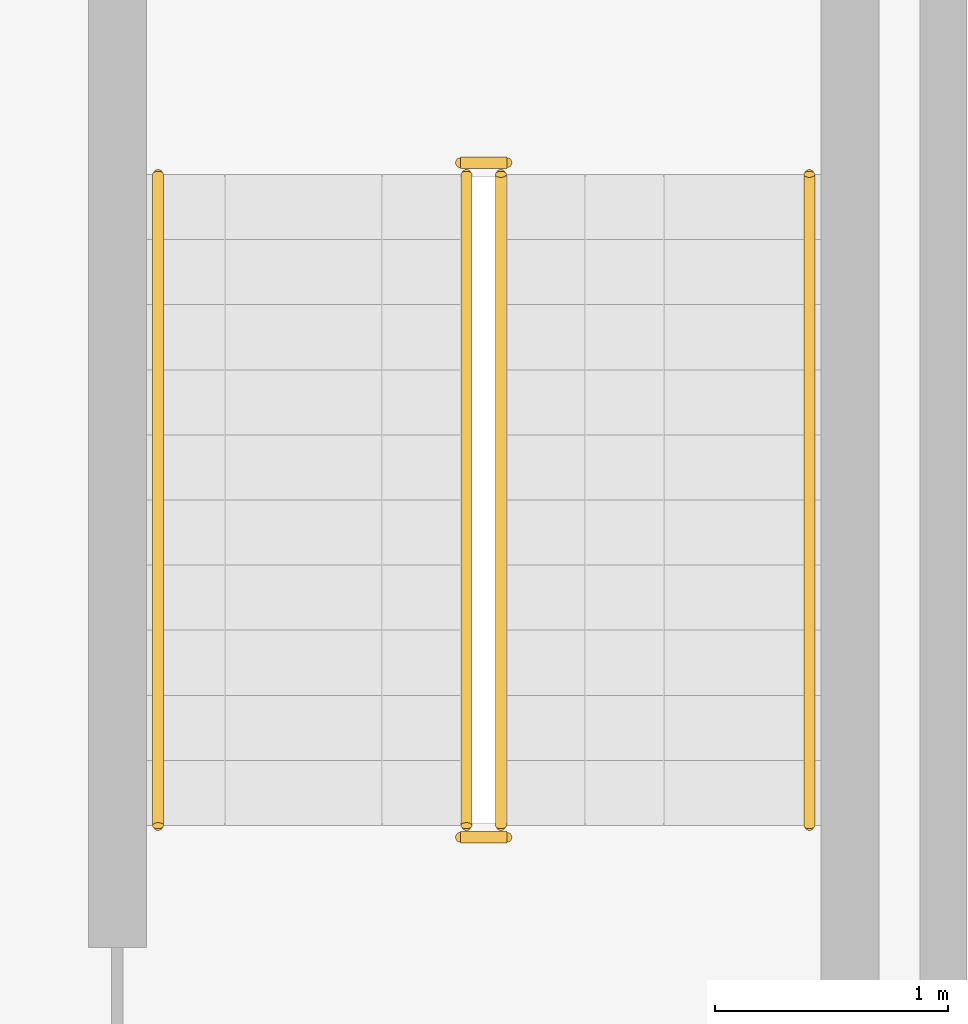
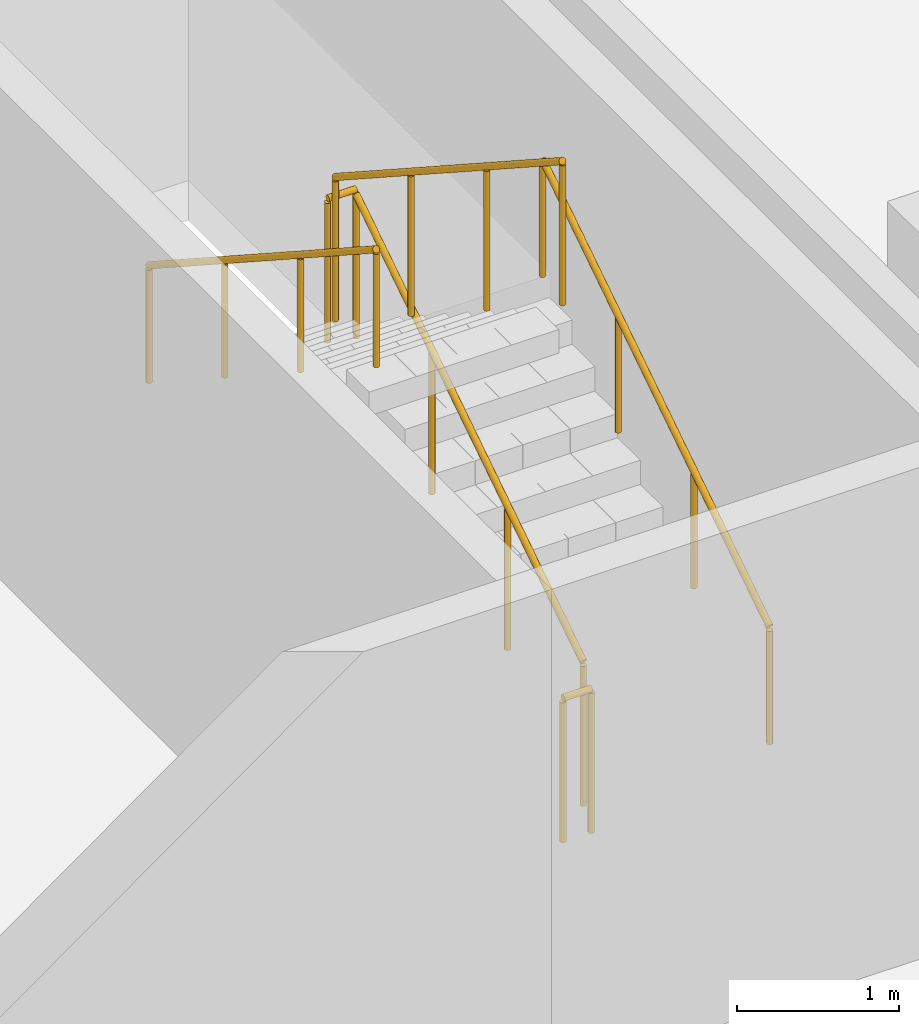
# One storey, part 18 of 18: 6 railings.
"""IFC4 building model written with IfcOpenShell, lengths in metres."""

from ifc_helpers import new_model, si_unit, direction, frame, origin, origin_2d, place, context, subcontext, project, spatial, circle, extrude, material, type_object, element, save


model = new_model("IFC4")

# Units and contexts
model_context = context("Model", 3, precision=1e-05, world=origin(), true_north=direction((0.0, 1.0)))
body_context = subcontext(model_context, "Body", "Model", "MODEL_VIEW")
ifc_project = project(units=[si_unit("LENGTHUNIT", "METRE"), si_unit("AREAUNIT", "SQUARE_METRE"), si_unit("VOLUMEUNIT", "CUBIC_METRE"), si_unit("PLANEANGLEUNIT", "RADIAN"), si_unit("MASSUNIT", "GRAM", prefix="KILO")], contexts=[model_context])

# Site, building, storey
site_placement = place(None, origin())
site = spatial("IfcSite", under=ifc_project, at=site_placement, CompositionType="ELEMENT")
building_placement = place(site_placement, origin())
building = spatial("IfcBuilding", under=site, at=building_placement, Name="Cantera Rosa Tower", CompositionType="ELEMENT")
storey_placement = place(building_placement, frame((0.0, 0.0, -13.0)))
storey = spatial("IfcBuildingStorey", under=building, at=storey_placement, Name="B3", CompositionType="ELEMENT", Elevation=-13.0)

# Railings
ifc_material_1 = material(Name="Steel S355J2 (EN 10025-2)", Category="steel")
railing_type_1 = type_object("IfcRailingType", Name="STAIR GUARD 1100", PredefinedType="GUARDRAIL", material=ifc_material_1)
railing_1_placement = place(storey_placement, frame((30.799072265625, 21.125, 0.181884765625)))
element("IfcRailing", 1, at=railing_1_placement, inside=storey, type_object=railing_type_1, Name="B3 ST-NE stair guard 1", PredefinedType="GUARDRAIL", context=body_context, shape_type="SweptSolid", body=[
    extrude(circle(Radius=0.02392578125, at=origin_2d()), frame((0.0, 0.0, 1.076171875), z_axis=(0.0, 0.838705829183, 0.544584733623), x_axis=(-1.0, 0.0, 0.0)), (0.0, 0.0, 1.0), 3.338623046875),
    extrude(circle(Radius=0.02099609375, at=origin_2d()), origin(), (0.0, 0.0, 1.0), 1.052001953125),
    extrude(circle(Radius=0.02099609375, at=origin_2d()), frame((0.0, 0.933349609375, 0.60595703125)), (0.0, 0.0, 1.0), 1.052001953125),
    extrude(circle(Radius=0.02099609375, at=origin_2d()), frame((0.0, 1.86669921875, 1.212158203125)), (0.0, 0.0, 1.0), 1.052001953125),
    extrude(circle(Radius=0.02099609375, at=origin_2d()), frame((0.0, 2.800048828125, 1.818115234375)), (0.0, 0.0, 1.0), 1.052001953125),
])
railing_2_placement = place(storey_placement, frame((30.824951171875, 23.97509765625, 2.0)))
element("IfcRailing", 2, at=railing_2_placement, inside=storey, type_object=railing_type_1, Name="B3 ST-NE stair guard 2", PredefinedType="GUARDRAIL", context=body_context, shape_type="SweptSolid", body=[
    extrude(circle(Radius=0.02392578125, at=origin_2d()), frame((0.0, 0.0, 1.076171875), z_axis=(-1.0, 0.0, 0.0), x_axis=(0.0, -1.0, 0.0)), (0.0, 0.0, 1.0), 0.199951171875),
    extrude(circle(Radius=0.02099609375, at=origin_2d()), origin(), (0.0, 0.0, 1.0), 1.052001953125),
    extrude(circle(Radius=0.02099609375, at=origin_2d()), frame((-0.199951171875, 0.0, 0.0)), (0.0, 0.0, 1.0), 1.052001953125),
])
railing_3_placement = place(storey_placement, frame((30.65087890625, 23.925048828125, 2.181884765625)))
element("IfcRailing", 3, at=railing_3_placement, inside=storey, type_object=railing_type_1, Name="B3 ST-NE stair guard 3", PredefinedType="GUARDRAIL", context=body_context, shape_type="SweptSolid", body=[
    extrude(circle(Radius=0.02392578125, at=origin_2d()), frame((0.0, 0.0, 1.076171875), z_axis=(0.0, -0.838705829183, 0.544584733623), x_axis=(1.0, 0.0, 0.0)), (0.0, 0.0, 1.0), 3.338623046875),
    extrude(circle(Radius=0.02099609375, at=origin_2d()), origin(), (0.0, 0.0, 1.0), 1.052001953125),
    extrude(circle(Radius=0.02099609375, at=origin_2d()), frame((0.0, -0.933349609375, 0.60595703125)), (0.0, 0.0, 1.0), 1.052001953125),
    extrude(circle(Radius=0.02099609375, at=origin_2d()), frame((0.0, -1.86669921875, 1.212158203125)), (0.0, 0.0, 1.0), 1.052001953125),
    extrude(circle(Radius=0.02099609375, at=origin_2d()), frame((0.0, -2.800048828125, 1.818115234375)), (0.0, 0.0, 1.0), 1.052001953125),
])
railing_4_placement = place(storey_placement, frame((30.824951171875, 21.074951171875, 0.0)))
element("IfcRailing", 4, at=railing_4_placement, inside=storey, type_object=railing_type_1, Name="B3 ST-NE stair guard 4", PredefinedType="GUARDRAIL", context=body_context, shape_type="SweptSolid", body=[
    extrude(circle(Radius=0.02392578125, at=origin_2d()), frame((0.0, 0.0, 1.076171875), z_axis=(-1.0, 0.0, 0.0), x_axis=(0.0, -1.0, 0.0)), (0.0, 0.0, 1.0), 0.199951171875),
    extrude(circle(Radius=0.02099609375, at=origin_2d()), origin(), (0.0, 0.0, 1.0), 1.052001953125),
    extrude(circle(Radius=0.02099609375, at=origin_2d()), frame((-0.199951171875, 0.0, 0.0)), (0.0, 0.0, 1.0), 1.052001953125),
])
ifc_material_2 = material(Name="Steel S355J2 (EN 10025-2)", Category="steel")
railing_type_2 = type_object("IfcRailingType", Name="STAIR HANDRAIL 900", PredefinedType="HANDRAIL", material=ifc_material_2)
railing_5_placement = place(storey_placement, frame((32.125, 21.125, 0.181884765625)))
element("IfcRailing", 5, at=railing_5_placement, inside=storey, type_object=railing_type_2, Name="B3 ST-NE stair handrail 1", PredefinedType="HANDRAIL", context=body_context, shape_type="SweptSolid", body=[
    extrude(circle(Radius=0.02392578125, at=origin_2d()), frame((0.0, 0.0, 0.8759765625), z_axis=(0.0, 0.838705829183, 0.544584733623), x_axis=(-1.0, 0.0, 0.0)), (0.0, 0.0, 1.0), 3.338623046875),
    extrude(circle(Radius=0.02099609375, at=origin_2d()), origin(), (0.0, 0.0, 1.0), 0.851806640625),
    extrude(circle(Radius=0.02099609375, at=origin_2d()), frame((0.0, 0.933349609375, 0.60595703125)), (0.0, 0.0, 1.0), 0.851806640625),
    extrude(circle(Radius=0.02099609375, at=origin_2d()), frame((0.0, 1.86669921875, 1.212158203125)), (0.0, 0.0, 1.0), 0.851806640625),
    extrude(circle(Radius=0.02099609375, at=origin_2d()), frame((0.0, 2.800048828125, 1.818115234375)), (0.0, 0.0, 1.0), 0.851806640625),
])
railing_6_placement = place(storey_placement, frame((29.324951171875, 23.925048828125, 2.181884765625)))
element("IfcRailing", 6, at=railing_6_placement, inside=storey, type_object=railing_type_2, Name="B3 ST-NE stair handrail 2", PredefinedType="HANDRAIL", context=body_context, shape_type="SweptSolid", body=[
    extrude(circle(Radius=0.02392578125, at=origin_2d()), frame((0.0, 0.0, 0.8759765625), z_axis=(0.0, -0.838705829183, 0.544584733623), x_axis=(1.0, 0.0, 0.0)), (0.0, 0.0, 1.0), 3.338623046875),
    extrude(circle(Radius=0.02099609375, at=origin_2d()), origin(), (0.0, 0.0, 1.0), 0.851806640625),
    extrude(circle(Radius=0.02099609375, at=origin_2d()), frame((0.0, -0.933349609375, 0.60595703125)), (0.0, 0.0, 1.0), 0.851806640625),
    extrude(circle(Radius=0.02099609375, at=origin_2d()), frame((0.0, -1.86669921875, 1.212158203125)), (0.0, 0.0, 1.0), 0.851806640625),
    extrude(circle(Radius=0.02099609375, at=origin_2d()), frame((0.0, -2.800048828125, 1.818115234375)), (0.0, 0.0, 1.0), 0.851806640625),
])

save(model, "model.ifc")
